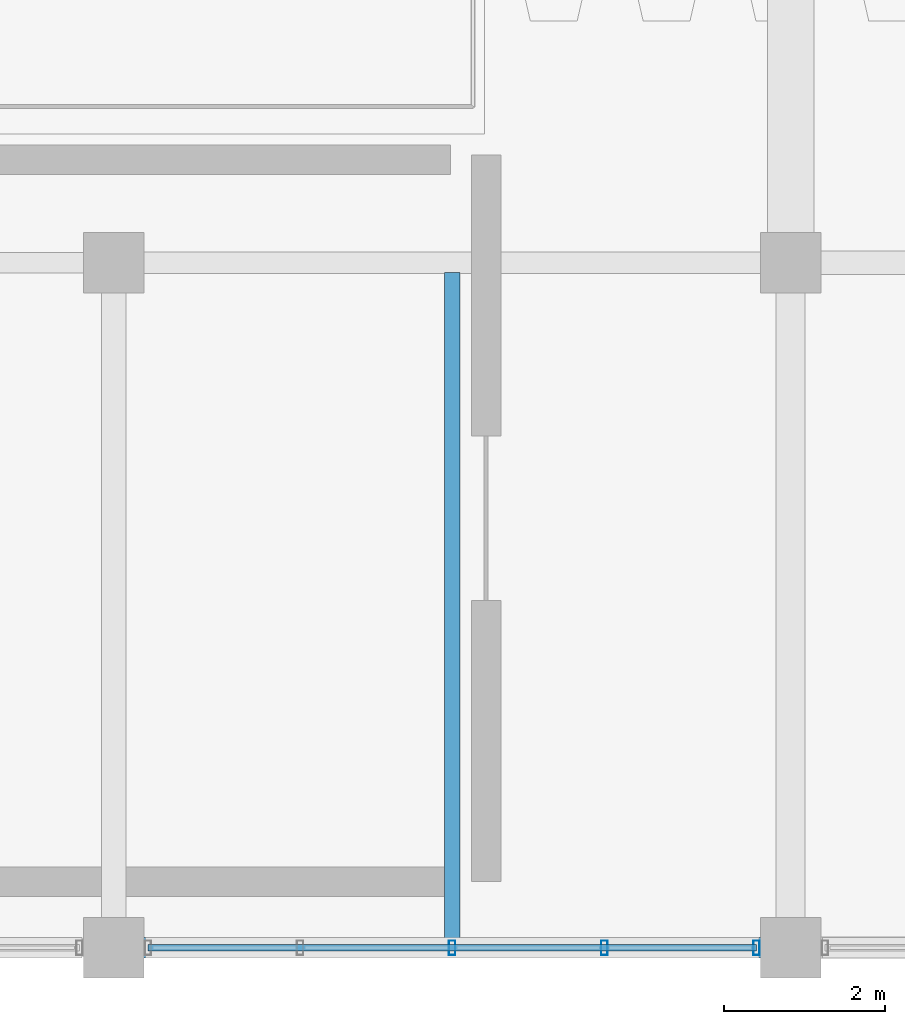
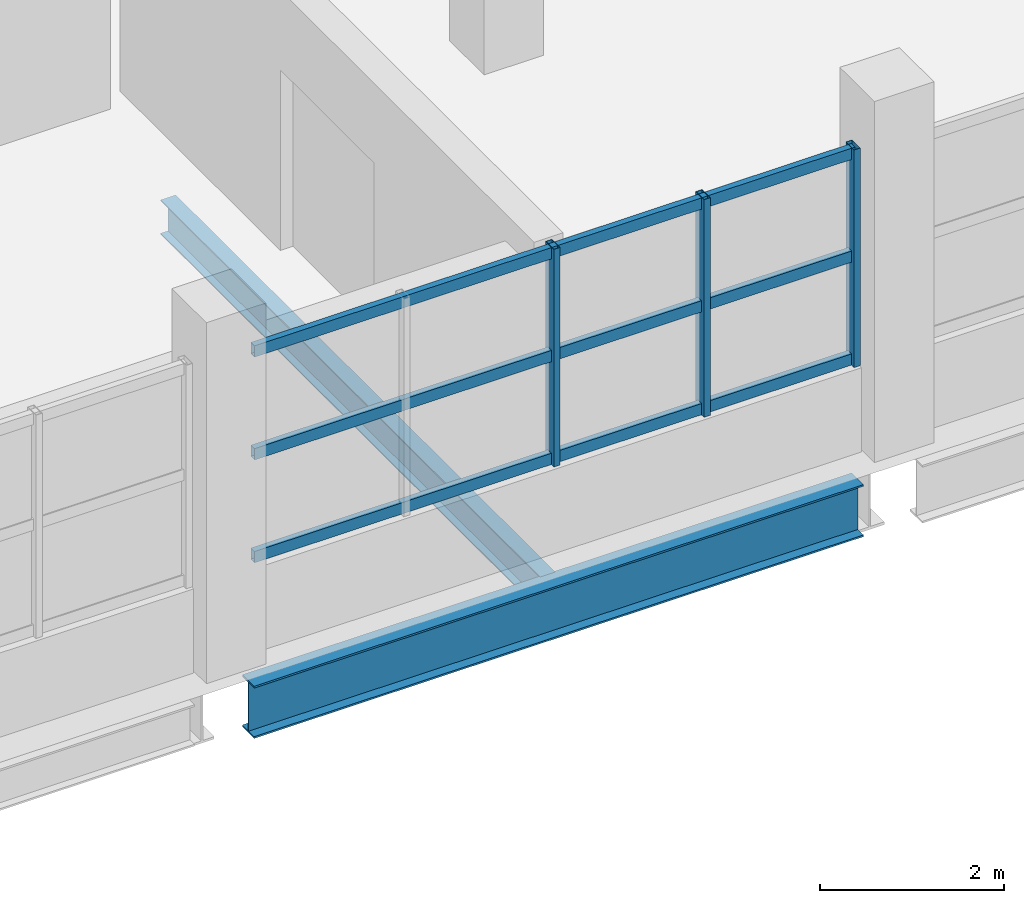
# One storey, part 33 of 77: 6 members, 2 beams, 1 element without a shape of its own.
"""IFC4 building model written with IfcOpenShell, lengths in metres."""

from ifc_helpers import new_model, si_unit, direction, frame, origin, origin_2d, place, context, subcontext, project, spatial, hollow_rectangle, i_section, extrude, material, material_profile, profile_set, type_object, element, aggregate, save


model = new_model("IFC4")

# Units and contexts
model_context = context("Model", 3, precision=1e-05, world=origin(), true_north=direction((0.0, 1.0)))
body_context = subcontext(model_context, "Body", "Model", "MODEL_VIEW")
ifc_project = project(units=[si_unit("LENGTHUNIT", "METRE"), si_unit("AREAUNIT", "SQUARE_METRE"), si_unit("VOLUMEUNIT", "CUBIC_METRE"), si_unit("PLANEANGLEUNIT", "RADIAN"), si_unit("MASSUNIT", "GRAM", prefix="KILO")], contexts=[model_context])

# Site, building, storey
site_placement = place(None, origin())
site = spatial("IfcSite", under=ifc_project, at=site_placement, CompositionType="ELEMENT")
building_placement = place(site_placement, origin())
building = spatial("IfcBuilding", under=site, at=building_placement, Name="Solvento Point Concert Hall", CompositionType="ELEMENT")
storey_placement = place(building_placement, frame((0.0, 0.0, 10.199951171875)))
storey = spatial("IfcBuildingStorey", under=building, at=storey_placement, Name="L02", CompositionType="ELEMENT", Elevation=10.199951171875)

# Beams
ifc_material_1 = material(Name="Structural Steel ASTM A992 Grade 50", Category="steel")
ifc_material_profile_1 = material_profile(ifc_material_1, i_section(OverallWidth=0.256103515625, OverallDepth=0.693115234375, WebThickness=0.014404296875, FlangeThickness=0.023681640625, at=origin_2d()), Name="W27X114")
ifc_profile_set_1 = profile_set([ifc_material_profile_1], Name="Structural Steel ASTM A992 Grade 50")
beam_type_1 = type_object("IfcBeamType", Name="Girder_W27X114", PredefinedType="USERDEFINED", material=ifc_profile_set_1)
beam_1_placement = place(storey_placement, frame((183.968994140625, 0.0, -0.79052734375), z_axis=(1.0, 0.0, 0.0), x_axis=(0.0, 1.0, 0.0)))
element("IfcBeam", 1, at=beam_1_placement, inside=storey, type_object=beam_type_1, Name="Primary girder B-23 L02", ObjectType="GIRDER", PredefinedType="USERDEFINED", context=body_context, shape_type="SweptSolid", body=[
    extrude(i_section(OverallWidth=0.256103515625, OverallDepth=0.693115234375, WebThickness=0.014404296875, FlangeThickness=0.023681640625, at=origin_2d()), origin(), (0.0, 0.0, 1.0), 7.662109375),
])
ifc_material_2 = material(Name="Structural Steel ASTM A992 Grade 50", Category="steel")
ifc_material_profile_2 = material_profile(ifc_material_2, i_section(OverallWidth=0.1904296875, OverallDepth=0.45703125, WebThickness=0.009033203125, FlangeThickness=0.014404296875, at=origin_2d()), Name="W18X50")
ifc_profile_set_2 = profile_set([ifc_material_profile_2], Name="Structural Steel ASTM A992 Grade 50")
beam_type_2 = type_object("IfcBeamType", Name="Joist_W18X50", PredefinedType="JOIST", material=ifc_profile_set_2)
beam_2_placement = place(storey_placement, frame((187.800048828125, 0.113037109375, -0.67236328125), z_axis=(0.0, 1.0, 0.0), x_axis=(-1.0, 0.0, 0.0)))
element("IfcBeam", 2, at=beam_2_placement, inside=storey, type_object=beam_type_2, Name="Secondary floor joist B-66 L02", PredefinedType="JOIST", context=body_context, shape_type="SweptSolid", body=[
    extrude(i_section(OverallWidth=0.1904296875, OverallDepth=0.45703125, WebThickness=0.009033203125, FlangeThickness=0.014404296875, at=origin_2d()), origin(), (0.0, 0.0, 1.0), 8.26806640625),
])

# Curtain wall, members
ifc_material_3 = material(Name="Anodized Bronze Aluminium", Category="aluminium")
curtain_wall_type = type_object("IfcCurtainWallType", Name="CurtainWall_ChamberCircle", PredefinedType="USERDEFINED", material=ifc_material_3)
curtain_wall_placement = place(storey_placement, origin())
curtain_wall = element("IfcCurtainWall", 3, at=curtain_wall_placement, inside=storey, type_object=curtain_wall_type, Name="Unitised curtain wall CW-32 UCW-L02-159", ObjectType="UNITISED CURTAIN WALL", PredefinedType="USERDEFINED")
ifc_material_4 = material(Name="Anodized Bronze Aluminium", Category="aluminium")
ifc_material_profile_3 = material_profile(ifc_material_4, hollow_rectangle(XDim=0.080078125, YDim=0.179931640625, WallThickness=0.00390625, at=origin_2d()), Name="CW-MUL-80X180")
ifc_profile_set_3 = profile_set([ifc_material_profile_3], Name="Anodized Bronze Aluminium")
member_type_1 = type_object("IfcMemberType", Name="Mullion_80x180", PredefinedType="MULLION", material=ifc_profile_set_3)
member_1_placement = place(storey_placement, frame((187.800048828125, 0.0, 1.1201171875), z_axis=(0.0, 0.0, 1.0), x_axis=(1.0, 0.0, 0.0)))
member_1 = element("IfcMember", 4, at=member_1_placement, type_object=member_type_1, Name="Curtain wall mullion ML-01", PredefinedType="MULLION", context=body_context, shape_type="SweptSolid", body=[
    extrude(hollow_rectangle(XDim=0.080078125, YDim=0.179931640625, WallThickness=0.00390625, at=origin_2d()), origin(), (0.0, 0.0, 1.0), 2.89404296875),
])
member_2_placement = place(storey_placement, frame((189.6875, 0.0, 1.1201171875), z_axis=(0.0, 0.0, 1.0), x_axis=(1.0, 0.0, 0.0)))
member_2 = element("IfcMember", 5, at=member_2_placement, type_object=member_type_1, Name="Curtain wall mullion ML-01", PredefinedType="MULLION", context=body_context, shape_type="SweptSolid", body=[
    extrude(hollow_rectangle(XDim=0.080078125, YDim=0.179931640625, WallThickness=0.00390625, at=origin_2d()), origin(), (0.0, 0.0, 1.0), 2.89404296875),
])
member_3_placement = place(storey_placement, frame((191.574951171875, 0.0, 1.1201171875), z_axis=(0.0, 0.0, 1.0), x_axis=(1.0, 0.0, 0.0)))
member_3 = element("IfcMember", 6, at=member_3_placement, type_object=member_type_1, Name="Curtain wall mullion ML-01", PredefinedType="MULLION", context=body_context, shape_type="SweptSolid", body=[
    extrude(hollow_rectangle(XDim=0.080078125, YDim=0.179931640625, WallThickness=0.00390625, at=origin_2d()), origin(), (0.0, 0.0, 1.0), 2.89404296875),
])
ifc_material_5 = material(Name="Anodized Bronze Aluminium", Category="aluminium")
ifc_material_profile_4 = material_profile(ifc_material_5, hollow_rectangle(XDim=0.080078125, YDim=0.14990234375, WallThickness=0.00390625, at=origin_2d()), Name="CW-TRN-80X150")
ifc_profile_set_4 = profile_set([ifc_material_profile_4], Name="Anodized Bronze Aluminium")
member_type_2 = type_object("IfcMemberType", Name="Transom_80x150", PredefinedType="USERDEFINED", material=ifc_profile_set_4)
member_4_placement = place(storey_placement, frame((184.02490234375, 0.0, 1.199951171875), z_axis=(1.0, 0.0, 0.0), x_axis=(0.0, 1.0, 0.0)))
member_4 = element("IfcMember", 7, at=member_4_placement, type_object=member_type_2, Name="Curtain wall transom TR-01", ObjectType="TRANSOM", PredefinedType="USERDEFINED", context=body_context, shape_type="SweptSolid", body=[
    extrude(hollow_rectangle(XDim=0.080078125, YDim=0.14990234375, WallThickness=0.00390625, at=origin_2d()), origin(), (0.0, 0.0, 1.0), 7.550048828125),
])
member_5_placement = place(storey_placement, frame((184.02490234375, 0.0, 2.567138671875), z_axis=(1.0, 0.0, 0.0), x_axis=(0.0, 1.0, 0.0)))
member_5 = element("IfcMember", 8, at=member_5_placement, type_object=member_type_2, Name="Curtain wall transom TR-01", ObjectType="TRANSOM", PredefinedType="USERDEFINED", context=body_context, shape_type="SweptSolid", body=[
    extrude(hollow_rectangle(XDim=0.080078125, YDim=0.14990234375, WallThickness=0.00390625, at=origin_2d()), origin(), (0.0, 0.0, 1.0), 7.550048828125),
])
member_6_placement = place(storey_placement, frame((184.02490234375, 0.0, 3.93408203125), z_axis=(1.0, 0.0, 0.0), x_axis=(0.0, 1.0, 0.0)))
member_6 = element("IfcMember", 9, at=member_6_placement, type_object=member_type_2, Name="Curtain wall transom TR-01", ObjectType="TRANSOM", PredefinedType="USERDEFINED", context=body_context, shape_type="SweptSolid", body=[
    extrude(hollow_rectangle(XDim=0.080078125, YDim=0.14990234375, WallThickness=0.00390625, at=origin_2d()), origin(), (0.0, 0.0, 1.0), 7.550048828125),
])
aggregate(curtain_wall, [member_1, member_2, member_3, member_4, member_5, member_6])

save(model, "model.ifc")
